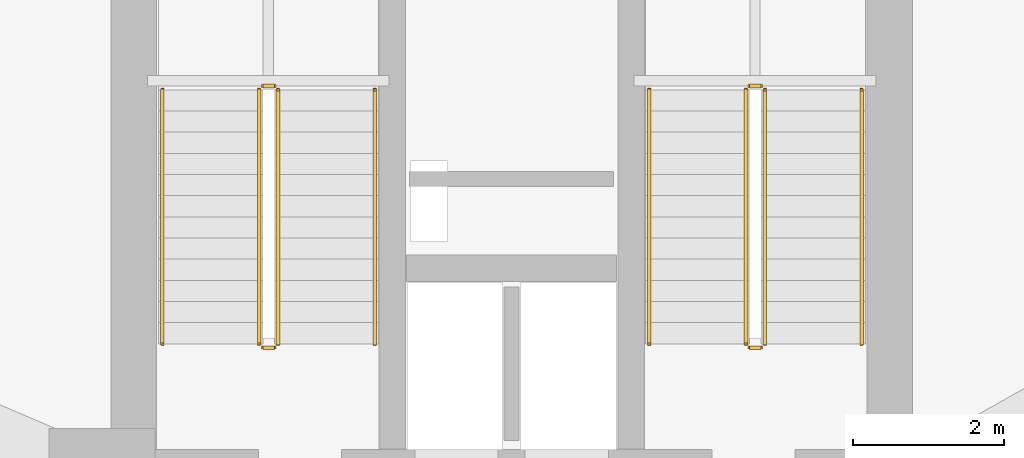
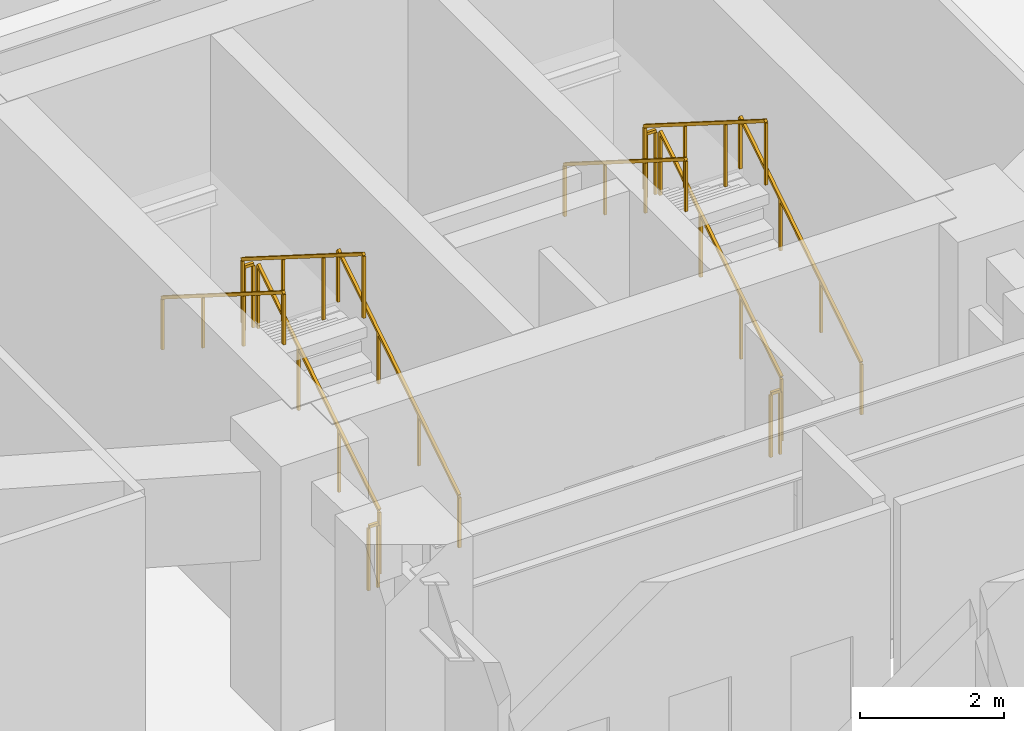
# One storey, part 9 of 9: 12 railings.
"""IFC4 building model written with IfcOpenShell, lengths in metres."""

from ifc_helpers import new_model, si_unit, direction, frame, origin, origin_2d, place, context, subcontext, project, spatial, rectangle, extrude, material, type_object, element, save


model = new_model("IFC4")

# Units and contexts
model_context = context("Model", 3, precision=1e-05, world=origin(), true_north=direction((0.0, 1.0)))
body_context = subcontext(model_context, "Body", "Model", "MODEL_VIEW")
ifc_project = project(units=[si_unit("LENGTHUNIT", "METRE"), si_unit("AREAUNIT", "SQUARE_METRE"), si_unit("VOLUMEUNIT", "CUBIC_METRE"), si_unit("PLANEANGLEUNIT", "RADIAN"), si_unit("MASSUNIT", "GRAM", prefix="KILO")], contexts=[model_context])

# Site, building, storey
site_placement = place(None, origin())
site = spatial("IfcSite", under=ifc_project, at=site_placement, CompositionType="ELEMENT")
building_placement = place(site_placement, origin())
building = spatial("IfcBuilding", under=site, at=building_placement, Name="Varnakorn Sky Granary", CompositionType="ELEMENT")
storey_placement = place(building_placement, frame((0.0, 0.0, 23.0)))
storey = spatial("IfcBuildingStorey", under=building, at=storey_placement, Name="L05", CompositionType="ELEMENT", Elevation=23.0)

# Railings
ifc_material = material(Name="Brushed Stainless Steel 316", Category="steel")
railing_type_1 = type_object("IfcRailingType", Name="RL-STAIR-1100", PredefinedType="GUARDRAIL", material=ifc_material)
railing_1_placement = place(storey_placement, frame((-0.090087890625, 5.199951171875, 0.177001953125)))
element("IfcRailing", 1, at=railing_1_placement, inside=storey, type_object=railing_type_1, Name="L05 ST-1 stair guard 1", PredefinedType="GUARDRAIL", context=body_context, shape_type="SweptSolid", body=[
    extrude(rectangle(XDim=0.048095703125, YDim=0.048095703125, at=origin_2d()), frame((0.0, 0.0, 1.076171875), z_axis=(0.0, 0.845389635667, 0.534150132366), x_axis=(-1.0, 0.0, 0.0)), (0.0, 0.0, 1.0), 3.974609375),
    extrude(rectangle(XDim=0.0419921875, YDim=0.0419921875, at=origin_2d()), origin(), (0.0, 0.0, 1.0), 1.048095703125),
    extrude(rectangle(XDim=0.0419921875, YDim=0.0419921875, at=origin_2d()), frame((0.0, 1.1201171875, 0.707763671875)), (0.0, 0.0, 1.0), 1.048095703125),
    extrude(rectangle(XDim=0.0419921875, YDim=0.0419921875, at=origin_2d()), frame((0.0, 2.239990234375, 1.415283203125)), (0.0, 0.0, 1.0), 1.048095703125),
    extrude(rectangle(XDim=0.0419921875, YDim=0.0419921875, at=origin_2d()), frame((0.0, 3.360107421875, 2.123046875)), (0.0, 0.0, 1.0), 1.048095703125),
])
railing_2_placement = place(storey_placement, frame((-0.139892578125, 8.610107421875, 2.300048828125)))
element("IfcRailing", 2, at=railing_2_placement, inside=storey, type_object=railing_type_1, Name="L05 ST-1 stair guard 2", PredefinedType="GUARDRAIL", context=body_context, shape_type="SweptSolid", body=[
    extrude(rectangle(XDim=0.048095703125, YDim=0.048095703125, at=origin_2d()), frame((0.0, 0.0, 1.076171875), z_axis=(-1.0, 0.0, 0.0), x_axis=(0.0, -1.0, 0.0)), (0.0, 0.0, 1.0), 0.150146484375),
    extrude(rectangle(XDim=0.0419921875, YDim=0.0419921875, at=origin_2d()), origin(), (0.0, 0.0, 1.0), 1.048095703125),
    extrude(rectangle(XDim=0.0419921875, YDim=0.0419921875, at=origin_2d()), frame((-0.150146484375, 0.0, 0.0)), (0.0, 0.0, 1.0), 1.048095703125),
])
railing_3_placement = place(storey_placement, frame((-0.340087890625, 8.56005859375, 2.476806640625)))
element("IfcRailing", 3, at=railing_3_placement, inside=storey, type_object=railing_type_1, Name="L05 ST-1 stair guard 3", PredefinedType="GUARDRAIL", context=body_context, shape_type="SweptSolid", body=[
    extrude(rectangle(XDim=0.048095703125, YDim=0.048095703125, at=origin_2d()), frame((0.0, 0.0, 1.076171875), z_axis=(0.0, -0.845361898145, 0.534194029511), x_axis=(1.0, 0.0, 0.0)), (0.0, 0.0, 1.0), 3.974853515625),
    extrude(rectangle(XDim=0.0419921875, YDim=0.0419921875, at=origin_2d()), origin(), (0.0, 0.0, 1.0), 1.048095703125),
    extrude(rectangle(XDim=0.0419921875, YDim=0.0419921875, at=origin_2d()), frame((0.0, -1.1201171875, 0.707763671875)), (0.0, 0.0, 1.0), 1.048095703125),
    extrude(rectangle(XDim=0.0419921875, YDim=0.0419921875, at=origin_2d()), frame((0.0, -2.239990234375, 1.41552734375)), (0.0, 0.0, 1.0), 1.048095703125),
    extrude(rectangle(XDim=0.0419921875, YDim=0.0419921875, at=origin_2d()), frame((0.0, -3.360107421875, 2.123291015625)), (0.0, 0.0, 1.0), 1.048095703125),
])
railing_4_placement = place(storey_placement, frame((-0.139892578125, 5.14990234375, 0.0)))
element("IfcRailing", 4, at=railing_4_placement, inside=storey, type_object=railing_type_1, Name="L05 ST-1 stair guard 4", PredefinedType="GUARDRAIL", context=body_context, shape_type="SweptSolid", body=[
    extrude(rectangle(XDim=0.048095703125, YDim=0.048095703125, at=origin_2d()), frame((0.0, 0.0, 1.076171875), z_axis=(-1.0, 0.0, 0.0), x_axis=(0.0, -1.0, 0.0)), (0.0, 0.0, 1.0), 0.150146484375),
    extrude(rectangle(XDim=0.0419921875, YDim=0.0419921875, at=origin_2d()), origin(), (0.0, 0.0, 1.0), 1.048095703125),
    extrude(rectangle(XDim=0.0419921875, YDim=0.0419921875, at=origin_2d()), frame((-0.150146484375, 0.0, 0.0)), (0.0, 0.0, 1.0), 1.048095703125),
])
railing_5_placement = place(storey_placement, frame((6.35009765625, 5.199951171875, 0.177001953125)))
element("IfcRailing", 5, at=railing_5_placement, inside=storey, type_object=railing_type_1, Name="L05 ST-2 stair guard 1", PredefinedType="GUARDRAIL", context=body_context, shape_type="SweptSolid", body=[
    extrude(rectangle(XDim=0.048095703125, YDim=0.048095703125, at=origin_2d()), frame((0.0, 0.0, 1.076171875), z_axis=(0.0, 0.845389635667, 0.534150132366), x_axis=(-1.0, 0.0, 0.0)), (0.0, 0.0, 1.0), 3.974609375),
    extrude(rectangle(XDim=0.0419921875, YDim=0.0419921875, at=origin_2d()), origin(), (0.0, 0.0, 1.0), 1.048095703125),
    extrude(rectangle(XDim=0.0419921875, YDim=0.0419921875, at=origin_2d()), frame((0.0, 1.1201171875, 0.707763671875)), (0.0, 0.0, 1.0), 1.048095703125),
    extrude(rectangle(XDim=0.0419921875, YDim=0.0419921875, at=origin_2d()), frame((0.0, 2.239990234375, 1.415283203125)), (0.0, 0.0, 1.0), 1.048095703125),
    extrude(rectangle(XDim=0.0419921875, YDim=0.0419921875, at=origin_2d()), frame((0.0, 3.360107421875, 2.123046875)), (0.0, 0.0, 1.0), 1.048095703125),
])
railing_6_placement = place(storey_placement, frame((6.300048828125, 8.610107421875, 2.300048828125)))
element("IfcRailing", 6, at=railing_6_placement, inside=storey, type_object=railing_type_1, Name="L05 ST-2 stair guard 2", PredefinedType="GUARDRAIL", context=body_context, shape_type="SweptSolid", body=[
    extrude(rectangle(XDim=0.048095703125, YDim=0.048095703125, at=origin_2d()), frame((0.0, 0.0, 1.076171875), z_axis=(-1.0, 0.0, 0.0), x_axis=(0.0, -1.0, 0.0)), (0.0, 0.0, 1.0), 0.150146484375),
    extrude(rectangle(XDim=0.0419921875, YDim=0.0419921875, at=origin_2d()), origin(), (0.0, 0.0, 1.0), 1.048095703125),
    extrude(rectangle(XDim=0.0419921875, YDim=0.0419921875, at=origin_2d()), frame((-0.150146484375, 0.0, 0.0)), (0.0, 0.0, 1.0), 1.048095703125),
])
railing_7_placement = place(storey_placement, frame((6.10009765625, 8.56005859375, 2.476806640625)))
element("IfcRailing", 7, at=railing_7_placement, inside=storey, type_object=railing_type_1, Name="L05 ST-2 stair guard 3", PredefinedType="GUARDRAIL", context=body_context, shape_type="SweptSolid", body=[
    extrude(rectangle(XDim=0.048095703125, YDim=0.048095703125, at=origin_2d()), frame((0.0, 0.0, 1.076171875), z_axis=(0.0, -0.845361898145, 0.534194029511), x_axis=(1.0, 0.0, 0.0)), (0.0, 0.0, 1.0), 3.974853515625),
    extrude(rectangle(XDim=0.0419921875, YDim=0.0419921875, at=origin_2d()), origin(), (0.0, 0.0, 1.0), 1.048095703125),
    extrude(rectangle(XDim=0.0419921875, YDim=0.0419921875, at=origin_2d()), frame((0.0, -1.1201171875, 0.707763671875)), (0.0, 0.0, 1.0), 1.048095703125),
    extrude(rectangle(XDim=0.0419921875, YDim=0.0419921875, at=origin_2d()), frame((0.0, -2.239990234375, 1.41552734375)), (0.0, 0.0, 1.0), 1.048095703125),
    extrude(rectangle(XDim=0.0419921875, YDim=0.0419921875, at=origin_2d()), frame((0.0, -3.360107421875, 2.123291015625)), (0.0, 0.0, 1.0), 1.048095703125),
])
railing_8_placement = place(storey_placement, frame((6.300048828125, 5.14990234375, 0.0)))
element("IfcRailing", 8, at=railing_8_placement, inside=storey, type_object=railing_type_1, Name="L05 ST-2 stair guard 4", PredefinedType="GUARDRAIL", context=body_context, shape_type="SweptSolid", body=[
    extrude(rectangle(XDim=0.048095703125, YDim=0.048095703125, at=origin_2d()), frame((0.0, 0.0, 1.076171875), z_axis=(-1.0, 0.0, 0.0), x_axis=(0.0, -1.0, 0.0)), (0.0, 0.0, 1.0), 0.150146484375),
    extrude(rectangle(XDim=0.0419921875, YDim=0.0419921875, at=origin_2d()), origin(), (0.0, 0.0, 1.0), 1.048095703125),
    extrude(rectangle(XDim=0.0419921875, YDim=0.0419921875, at=origin_2d()), frame((-0.150146484375, 0.0, 0.0)), (0.0, 0.0, 1.0), 1.048095703125),
])
railing_type_2 = type_object("IfcRailingType", Name="RL-STAIR-920", PredefinedType="HANDRAIL", material=ifc_material)
railing_9_placement = place(storey_placement, frame((1.18994140625, 5.199951171875, 0.177001953125)))
element("IfcRailing", 9, at=railing_9_placement, inside=storey, type_object=railing_type_2, Name="L05 ST-1 stair handrail 1", PredefinedType="HANDRAIL", context=body_context, shape_type="SweptSolid", body=[
    extrude(rectangle(XDim=0.048095703125, YDim=0.048095703125, at=origin_2d()), frame((0.0, 0.0, 0.8759765625), z_axis=(0.0, 0.845389635667, 0.534150132366), x_axis=(-1.0, 0.0, 0.0)), (0.0, 0.0, 1.0), 3.974609375),
    extrude(rectangle(XDim=0.0419921875, YDim=0.0419921875, at=origin_2d()), origin(), (0.0, 0.0, 1.0), 0.847900390625),
    extrude(rectangle(XDim=0.0419921875, YDim=0.0419921875, at=origin_2d()), frame((0.0, 1.1201171875, 0.707763671875)), (0.0, 0.0, 1.0), 0.847900390625),
    extrude(rectangle(XDim=0.0419921875, YDim=0.0419921875, at=origin_2d()), frame((0.0, 2.239990234375, 1.415283203125)), (0.0, 0.0, 1.0), 0.847900390625),
    extrude(rectangle(XDim=0.0419921875, YDim=0.0419921875, at=origin_2d()), frame((0.0, 3.360107421875, 2.123046875)), (0.0, 0.0, 1.0), 0.847900390625),
])
railing_10_placement = place(storey_placement, frame((-1.6201171875, 8.56005859375, 2.476806640625)))
element("IfcRailing", 10, at=railing_10_placement, inside=storey, type_object=railing_type_2, Name="L05 ST-1 stair handrail 2", PredefinedType="HANDRAIL", context=body_context, shape_type="SweptSolid", body=[
    extrude(rectangle(XDim=0.048095703125, YDim=0.048095703125, at=origin_2d()), frame((0.0, 0.0, 0.8759765625), z_axis=(0.0, -0.845361898145, 0.534194029511), x_axis=(1.0, 0.0, 0.0)), (0.0, 0.0, 1.0), 3.974853515625),
    extrude(rectangle(XDim=0.0419921875, YDim=0.0419921875, at=origin_2d()), origin(), (0.0, 0.0, 1.0), 0.847900390625),
    extrude(rectangle(XDim=0.0419921875, YDim=0.0419921875, at=origin_2d()), frame((0.0, -1.1201171875, 0.707763671875)), (0.0, 0.0, 1.0), 0.847900390625),
    extrude(rectangle(XDim=0.0419921875, YDim=0.0419921875, at=origin_2d()), frame((0.0, -2.239990234375, 1.41552734375)), (0.0, 0.0, 1.0), 0.847900390625),
    extrude(rectangle(XDim=0.0419921875, YDim=0.0419921875, at=origin_2d()), frame((0.0, -3.360107421875, 2.123291015625)), (0.0, 0.0, 1.0), 0.847900390625),
])
railing_11_placement = place(storey_placement, frame((7.6298828125, 5.199951171875, 0.177001953125)))
element("IfcRailing", 11, at=railing_11_placement, inside=storey, type_object=railing_type_2, Name="L05 ST-2 stair handrail 1", PredefinedType="HANDRAIL", context=body_context, shape_type="SweptSolid", body=[
    extrude(rectangle(XDim=0.048095703125, YDim=0.048095703125, at=origin_2d()), frame((0.0, 0.0, 0.8759765625), z_axis=(0.0, 0.845389635667, 0.534150132366), x_axis=(-1.0, 0.0, 0.0)), (0.0, 0.0, 1.0), 3.974609375),
    extrude(rectangle(XDim=0.0419921875, YDim=0.0419921875, at=origin_2d()), origin(), (0.0, 0.0, 1.0), 0.847900390625),
    extrude(rectangle(XDim=0.0419921875, YDim=0.0419921875, at=origin_2d()), frame((0.0, 1.1201171875, 0.707763671875)), (0.0, 0.0, 1.0), 0.847900390625),
    extrude(rectangle(XDim=0.0419921875, YDim=0.0419921875, at=origin_2d()), frame((0.0, 2.239990234375, 1.415283203125)), (0.0, 0.0, 1.0), 0.847900390625),
    extrude(rectangle(XDim=0.0419921875, YDim=0.0419921875, at=origin_2d()), frame((0.0, 3.360107421875, 2.123046875)), (0.0, 0.0, 1.0), 0.847900390625),
])
railing_12_placement = place(storey_placement, frame((4.820068359375, 8.56005859375, 2.476806640625)))
element("IfcRailing", 12, at=railing_12_placement, inside=storey, type_object=railing_type_2, Name="L05 ST-2 stair handrail 2", PredefinedType="HANDRAIL", context=body_context, shape_type="SweptSolid", body=[
    extrude(rectangle(XDim=0.048095703125, YDim=0.048095703125, at=origin_2d()), frame((0.0, 0.0, 0.8759765625), z_axis=(0.0, -0.845361898145, 0.534194029511), x_axis=(1.0, 0.0, 0.0)), (0.0, 0.0, 1.0), 3.974853515625),
    extrude(rectangle(XDim=0.0419921875, YDim=0.0419921875, at=origin_2d()), origin(), (0.0, 0.0, 1.0), 0.847900390625),
    extrude(rectangle(XDim=0.0419921875, YDim=0.0419921875, at=origin_2d()), frame((0.0, -1.1201171875, 0.707763671875)), (0.0, 0.0, 1.0), 0.847900390625),
    extrude(rectangle(XDim=0.0419921875, YDim=0.0419921875, at=origin_2d()), frame((0.0, -2.239990234375, 1.41552734375)), (0.0, 0.0, 1.0), 0.847900390625),
    extrude(rectangle(XDim=0.0419921875, YDim=0.0419921875, at=origin_2d()), frame((0.0, -3.360107421875, 2.123291015625)), (0.0, 0.0, 1.0), 0.847900390625),
])

save(model, "model.ifc")
